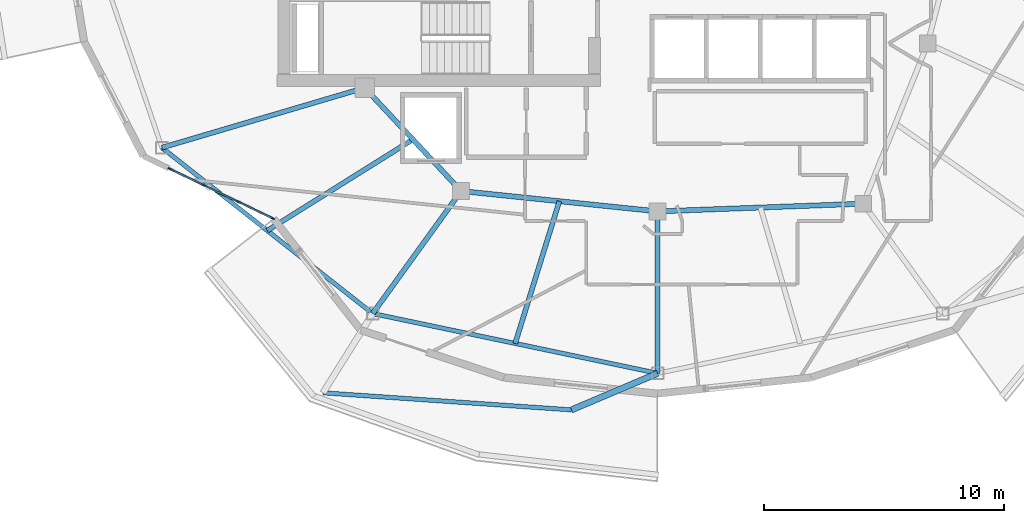
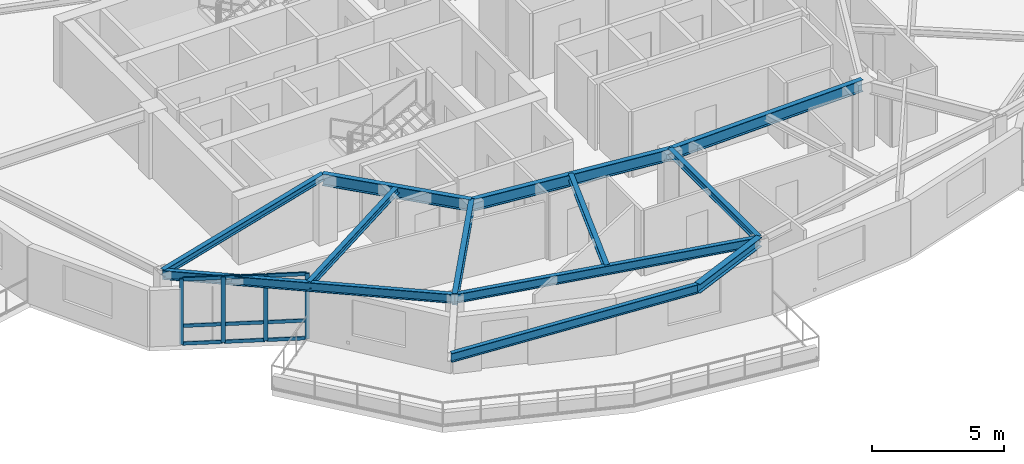
# One storey, part 2 of 14: 13 members, 12 beams, 1 element without a shape of its own.
"""IFC4 building model written with IfcOpenShell, lengths in metres."""

from ifc_helpers import new_model, si_unit, direction, frame, origin, origin_2d, place, context, subcontext, project, spatial, rectangle, i_section, extrude, material, layer, layer_set, material_profile, profile_set, type_object, element, aggregate, save


model = new_model("IFC4")

# Units and contexts
model_context = context("Model", 3, precision=1e-05, world=origin(), true_north=direction((0.0, 1.0)))
body_context = subcontext(model_context, "Body", "Model", "MODEL_VIEW")
ifc_project = project(units=[si_unit("LENGTHUNIT", "METRE"), si_unit("AREAUNIT", "SQUARE_METRE"), si_unit("VOLUMEUNIT", "CUBIC_METRE"), si_unit("PLANEANGLEUNIT", "RADIAN"), si_unit("MASSUNIT", "GRAM", prefix="KILO")], contexts=[model_context])

# Site, building, storey
site_placement = place(None, origin())
site = spatial("IfcSite", under=ifc_project, at=site_placement, CompositionType="ELEMENT")
building_placement = place(site_placement, origin())
building = spatial("IfcBuilding", under=site, at=building_placement, Name="Kolvaren Gate Tower and Convention Centre", CompositionType="ELEMENT")
storey_placement = place(building_placement, frame((0.0, 0.0, 206.300048828125)))
storey = spatial("IfcBuildingStorey", under=building, at=storey_placement, Name="L54", CompositionType="ELEMENT", Elevation=206.300048828125)

# Curtain wall, members
ifc_material_1 = material(Name="Anodized Architectural Aluminium Alloy 6063-T6", Category="aluminium")
ifc_layer = layer(ifc_material_1, 0.159912109375)
ifc_layer_set = layer_set([ifc_layer], Name="Anodized Architectural Aluminium Alloy 6063-T6")
curtain_wall_type = type_object("IfcCurtainWallType", Name="CW-RES-UNIT", PredefinedType="NOTDEFINED", material=ifc_layer_set)
curtain_wall_placement = place(storey_placement, origin())
curtain_wall = element("IfcCurtainWall", 1, at=curtain_wall_placement, inside=storey, type_object=curtain_wall_type, Name="Tower L54 Unitised Curtain Wall CW-RES-UNIT Bay 14", PredefinedType="NOTDEFINED")
ifc_material_profile_1 = material_profile(ifc_material_1, rectangle(XDim=0.06494140625, YDim=0.159912109375, at=origin_2d()), Name="CW-MEM-MUL-160")
ifc_profile_set_1 = profile_set([ifc_material_profile_1], Name="Anodized Architectural Aluminium Alloy 6063-T6")
member_type_1 = type_object("IfcMemberType", Name="CW-MEM-MUL-160", PredefinedType="MULLION", material=ifc_profile_set_1)
member_1_placement = place(storey_placement, frame((9.78466796875, 16.574462890625, 0.0), z_axis=(0.0, 0.0, 1.0), x_axis=(0.433065576861, 0.901362416644, 0.0)))
member_1 = element("IfcMember", 2, at=member_1_placement, type_object=member_type_1, Name="CW-04 mullion 1", PredefinedType="MULLION", context=body_context, shape_type="SweptSolid", body=[
    extrude(rectangle(XDim=0.06494140625, YDim=0.159912109375, at=origin_2d()), origin(), (0.0, 0.0, 1.0), 3.030029296875),
])
member_2_placement = place(storey_placement, frame((11.20947265625, 15.889892578125, 0.0), z_axis=(0.0, 0.0, 1.0), x_axis=(0.433065576861, 0.901362416644, 0.0)))
member_2 = element("IfcMember", 3, at=member_2_placement, type_object=member_type_1, Name="CW-04 mullion 2", PredefinedType="MULLION", context=body_context, shape_type="SweptSolid", body=[
    extrude(rectangle(XDim=0.06494140625, YDim=0.159912109375, at=origin_2d()), origin(), (0.0, 0.0, 1.0), 3.030029296875),
])
member_3_placement = place(storey_placement, frame((12.66357421875, 15.19140625, 0.0), z_axis=(0.0, 0.0, 1.0), x_axis=(0.433065576861, 0.901362416644, 0.0)))
member_3 = element("IfcMember", 4, at=member_3_placement, type_object=member_type_1, Name="CW-04 mullion 3", PredefinedType="MULLION", context=body_context, shape_type="SweptSolid", body=[
    extrude(rectangle(XDim=0.06494140625, YDim=0.159912109375, at=origin_2d()), origin(), (0.0, 0.0, 1.0), 3.030029296875),
])
member_4_placement = place(storey_placement, frame((14.088134765625, 14.5068359375, 0.0), z_axis=(0.0, 0.0, 1.0), x_axis=(0.433065576861, 0.901362416644, 0.0)))
member_4 = element("IfcMember", 5, at=member_4_placement, type_object=member_type_1, Name="CW-04 mullion 4", PredefinedType="MULLION", context=body_context, shape_type="SweptSolid", body=[
    extrude(rectangle(XDim=0.06494140625, YDim=0.159912109375, at=origin_2d()), origin(), (0.0, 0.0, 1.0), 3.030029296875),
])
ifc_material_profile_2 = material_profile(ifc_material_1, rectangle(XDim=0.06494140625, YDim=0.159912109375, at=origin_2d()), Name="CW-MEM-TRN-160")
ifc_profile_set_2 = profile_set([ifc_material_profile_2], Name="Anodized Architectural Aluminium Alloy 6063-T6")
member_type_2 = type_object("IfcMemberType", Name="CW-MEM-TRN-160", PredefinedType="USERDEFINED", material=ifc_profile_set_2)
member_5_placement = place(storey_placement, frame((9.81396484375, 16.560302734375, 0.032470703125), z_axis=(0.901402369702, -0.432982410607, 0.0), x_axis=(0.432982410607, 0.901402369702, 0.0)))
member_5 = element("IfcMember", 6, at=member_5_placement, type_object=member_type_2, Name="CW-04 transom 1.1", ObjectType="TRANSOM", PredefinedType="USERDEFINED", context=body_context, shape_type="SweptSolid", body=[
    extrude(rectangle(XDim=0.06494140625, YDim=0.159912109375, at=origin_2d()), origin(), (0.0, 0.0, 1.0), 1.515625),
])
member_6_placement = place(storey_placement, frame((9.81396484375, 16.560302734375, 0.849853515625), z_axis=(0.901402369702, -0.432982410607, 0.0), x_axis=(0.432982410607, 0.901402369702, 0.0)))
member_6 = element("IfcMember", 7, at=member_6_placement, type_object=member_type_2, Name="CW-04 transom 1.2", ObjectType="TRANSOM", PredefinedType="USERDEFINED", context=body_context, shape_type="SweptSolid", body=[
    extrude(rectangle(XDim=0.06494140625, YDim=0.159912109375, at=origin_2d()), origin(), (0.0, 0.0, 1.0), 1.515625),
])
member_7_placement = place(storey_placement, frame((9.81396484375, 16.560302734375, 2.99755859375), z_axis=(0.901402369702, -0.432982410607, 0.0), x_axis=(0.432982410607, 0.901402369702, 0.0)))
member_7 = element("IfcMember", 8, at=member_7_placement, type_object=member_type_2, Name="CW-04 transom 1.3", ObjectType="TRANSOM", PredefinedType="USERDEFINED", context=body_context, shape_type="SweptSolid", body=[
    extrude(rectangle(XDim=0.06494140625, YDim=0.159912109375, at=origin_2d()), origin(), (0.0, 0.0, 1.0), 1.515625),
])
member_8_placement = place(storey_placement, frame((11.23876953125, 15.875732421875, 0.032470703125), z_axis=(0.901380283866, -0.433028386896, 0.0), x_axis=(0.433028386896, 0.901380283866, 0.0)))
member_8 = element("IfcMember", 9, at=member_8_placement, type_object=member_type_2, Name="CW-04 transom 2.1", ObjectType="TRANSOM", PredefinedType="USERDEFINED", context=body_context, shape_type="SweptSolid", body=[
    extrude(rectangle(XDim=0.06494140625, YDim=0.159912109375, at=origin_2d()), origin(), (0.0, 0.0, 1.0), 1.548095703125),
])
member_9_placement = place(storey_placement, frame((11.23876953125, 15.875732421875, 0.849853515625), z_axis=(0.901380283866, -0.433028386896, 0.0), x_axis=(0.433028386896, 0.901380283866, 0.0)))
member_9 = element("IfcMember", 10, at=member_9_placement, type_object=member_type_2, Name="CW-04 transom 2.2", ObjectType="TRANSOM", PredefinedType="USERDEFINED", context=body_context, shape_type="SweptSolid", body=[
    extrude(rectangle(XDim=0.06494140625, YDim=0.159912109375, at=origin_2d()), origin(), (0.0, 0.0, 1.0), 1.548095703125),
])
member_10_placement = place(storey_placement, frame((11.23876953125, 15.875732421875, 2.99755859375), z_axis=(0.901380283866, -0.433028386896, 0.0), x_axis=(0.433028386896, 0.901380283866, 0.0)))
member_10 = element("IfcMember", 11, at=member_10_placement, type_object=member_type_2, Name="CW-04 transom 2.3", ObjectType="TRANSOM", PredefinedType="USERDEFINED", context=body_context, shape_type="SweptSolid", body=[
    extrude(rectangle(XDim=0.06494140625, YDim=0.159912109375, at=origin_2d()), origin(), (0.0, 0.0, 1.0), 1.548095703125),
])
member_11_placement = place(storey_placement, frame((12.69287109375, 15.17724609375, 0.032470703125), z_axis=(0.901309275583, -0.433176164797, 0.0), x_axis=(0.433176164797, 0.901309275583, 0.0)))
member_11 = element("IfcMember", 12, at=member_11_placement, type_object=member_type_2, Name="CW-04 transom 3.1", ObjectType="TRANSOM", PredefinedType="USERDEFINED", context=body_context, shape_type="SweptSolid", body=[
    extrude(rectangle(XDim=0.06494140625, YDim=0.159912109375, at=origin_2d()), origin(), (0.0, 0.0, 1.0), 1.515625),
])
member_12_placement = place(storey_placement, frame((12.69287109375, 15.17724609375, 0.849853515625), z_axis=(0.901309275583, -0.433176164797, 0.0), x_axis=(0.433176164797, 0.901309275583, 0.0)))
member_12 = element("IfcMember", 13, at=member_12_placement, type_object=member_type_2, Name="CW-04 transom 3.2", ObjectType="TRANSOM", PredefinedType="USERDEFINED", context=body_context, shape_type="SweptSolid", body=[
    extrude(rectangle(XDim=0.06494140625, YDim=0.159912109375, at=origin_2d()), origin(), (0.0, 0.0, 1.0), 1.515625),
])
member_13_placement = place(storey_placement, frame((12.69287109375, 15.17724609375, 2.99755859375), z_axis=(0.901309275583, -0.433176164797, 0.0), x_axis=(0.433176164797, 0.901309275583, 0.0)))
member_13 = element("IfcMember", 14, at=member_13_placement, type_object=member_type_2, Name="CW-04 transom 3.3", ObjectType="TRANSOM", PredefinedType="USERDEFINED", context=body_context, shape_type="SweptSolid", body=[
    extrude(rectangle(XDim=0.06494140625, YDim=0.159912109375, at=origin_2d()), origin(), (0.0, 0.0, 1.0), 1.515625),
])
aggregate(curtain_wall, [member_1, member_2, member_3, member_4, member_5, member_6, member_7, member_8, member_9, member_10, member_11, member_12, member_13])

# Beams
ifc_material_2 = material(Name="Structural steel ASTM A992 Grade 345 MPa", Category="steel")
ifc_material_profile_3 = material_profile(ifc_material_2, i_section(OverallWidth=0.260009765625, OverallDepth=0.419921875, WebThickness=0.013427734375, FlangeThickness=0.0224609375, at=origin_2d()), Name="W410X132")
ifc_profile_set_3 = profile_set([ifc_material_profile_3], Name="Structural steel ASTM A992 Grade 345 MPa")
beam_type_1 = type_object("IfcBeamType", Name="STR-BM-W410X132", PredefinedType="BEAM", material=ifc_profile_set_3)
beam_1_placement = place(storey_placement, frame((30.125, 8.050048828125, 2.820556640625), z_axis=(-0.920415965842, -0.390940468386, 0.0), x_axis=(0.390940468386, -0.920415965842, 0.0)))
element("IfcBeam", 15, at=beam_1_placement, inside=storey, type_object=beam_type_1, Name="Tower L55 Planted Balcony Outrigger Cantilever BC-3B", PredefinedType="BEAM", context=body_context, shape_type="SweptSolid", body=[
    extrude(i_section(OverallWidth=0.260009765625, OverallDepth=0.419921875, WebThickness=0.013427734375, FlangeThickness=0.0224609375, at=origin_2d()), origin(), (0.0, 0.0, 1.0), 3.89990234375),
])
ifc_material_profile_4 = material_profile(ifc_material_2, i_section(OverallWidth=0.2119140625, OverallDepth=0.5439453125, WebThickness=0.01318359375, FlangeThickness=0.021240234375, at=origin_2d()), Name="W530X123")
ifc_profile_set_4 = profile_set([ifc_material_profile_4], Name="Structural steel ASTM A992 Grade 345 MPa")
beam_type_2 = type_object("IfcBeamType", Name="STR-BM-W530X123", PredefinedType="BEAM", material=ifc_profile_set_4)
beam_2_placement = place(storey_placement, frame((17.9140625, 19.949951171875, 2.758056640625), z_axis=(0.682557592987, -0.730831808459, 0.0), x_axis=(0.730831808459, 0.682557592987, 0.0)))
element("IfcBeam", 16, at=beam_2_placement, inside=storey, type_object=beam_type_2, Name="Tower L54 Primary Ring Girder G-06", PredefinedType="BEAM", context=body_context, shape_type="SweptSolid", body=[
    extrude(i_section(OverallWidth=0.2119140625, OverallDepth=0.5439453125, WebThickness=0.01318359375, FlangeThickness=0.021240234375, at=origin_2d()), origin(), (0.0, 0.0, 1.0), 5.88671875),
])
beam_3_placement = place(storey_placement, frame((21.93212890625, 15.647705078125, 2.758056640625), z_axis=(0.994690329115, -0.102913308978, 0.0), x_axis=(0.102913308978, 0.994690329115, 0.0)))
element("IfcBeam", 17, at=beam_3_placement, inside=storey, type_object=beam_type_2, Name="Tower L54 Primary Ring Girder G-07", PredefinedType="BEAM", context=body_context, shape_type="SweptSolid", body=[
    extrude(i_section(OverallWidth=0.2119140625, OverallDepth=0.5439453125, WebThickness=0.01318359375, FlangeThickness=0.021240234375, at=origin_2d()), origin(), (0.0, 0.0, 1.0), 8.236572265625),
])
beam_4_placement = place(storey_placement, frame((30.125, 14.800048828125, 2.758056640625), z_axis=(0.999301712453, 0.037364254142, 0.0), x_axis=(-0.037364254142, 0.999301712453, 0.0)))
element("IfcBeam", 18, at=beam_4_placement, inside=storey, type_object=beam_type_2, Name="Tower L54 Primary Ring Girder G-08", PredefinedType="BEAM", context=body_context, shape_type="SweptSolid", body=[
    extrude(i_section(OverallWidth=0.2119140625, OverallDepth=0.5439453125, WebThickness=0.01318359375, FlangeThickness=0.021240234375, at=origin_2d()), origin(), (0.0, 0.0, 1.0), 8.579345703125),
])
beam_5_placement = place(storey_placement, frame((21.93212890625, 15.647705078125, 2.758056640625), z_axis=(-0.585214462319, -0.810878556316, 0.0), x_axis=(0.810878556316, -0.585214462319, 0.0)))
element("IfcBeam", 19, at=beam_5_placement, inside=storey, type_object=beam_type_2, Name="Tower L54 Radial Floor Girder RB-09", PredefinedType="BEAM", context=body_context, shape_type="SweptSolid", body=[
    extrude(i_section(OverallWidth=0.2119140625, OverallDepth=0.5439453125, WebThickness=0.01318359375, FlangeThickness=0.021240234375, at=origin_2d()), origin(), (0.0, 0.0, 1.0), 6.296630859375),
])
ifc_material_profile_5 = material_profile(ifc_material_2, i_section(OverallWidth=0.205078125, OverallDepth=0.31005859375, WebThickness=0.009521484375, FlangeThickness=0.016357421875, at=origin_2d()), Name="W310X74")
ifc_profile_set_5 = profile_set([ifc_material_profile_5], Name="Structural steel ASTM A992 Grade 345 MPa")
beam_type_3 = type_object("IfcBeamType", Name="STR-JS-W310X74", PredefinedType="JOIST", material=ifc_profile_set_5)
beam_6_placement = place(storey_placement, frame((17.9140625, 19.949951171875, 2.875), z_axis=(-0.959121165581, -0.28299574155, 0.0), x_axis=(0.28299574155, -0.959121165581, 0.0)))
element("IfcBeam", 20, at=beam_6_placement, inside=storey, type_object=beam_type_3, Name="Tower L54 Radial Floor Girder RB-08", PredefinedType="JOIST", context=body_context, shape_type="SweptSolid", body=[
    extrude(i_section(OverallWidth=0.205078125, OverallDepth=0.31005859375, WebThickness=0.009521484375, FlangeThickness=0.016357421875, at=origin_2d()), origin(), (0.0, 0.0, 1.0), 8.8115234375),
])
beam_7_placement = place(storey_placement, frame((30.125, 14.800048828125, 2.875), z_axis=(0.0, -1.0, 0.0), x_axis=(1.0, 0.0, 0.0)))
element("IfcBeam", 21, at=beam_7_placement, inside=storey, type_object=beam_type_3, Name="Tower L54 Radial Floor Girder RB-10", PredefinedType="JOIST", context=body_context, shape_type="SweptSolid", body=[
    extrude(i_section(OverallWidth=0.205078125, OverallDepth=0.31005859375, WebThickness=0.009521484375, FlangeThickness=0.016357421875, at=origin_2d()), origin(), (0.0, 0.0, 1.0), 6.75),
])
beam_8_placement = place(storey_placement, frame((19.923095703125, 17.798828125, 2.875), z_axis=(-0.847559309278, -0.530700685186, 0.0), x_axis=(0.530700685186, -0.847559309278, 0.0)))
element("IfcBeam", 22, at=beam_8_placement, inside=storey, type_object=beam_type_3, Name="Tower L54 Secondary Composite Floor Joist J-08.1", PredefinedType="JOIST", context=body_context, shape_type="SweptSolid", body=[
    extrude(i_section(OverallWidth=0.205078125, OverallDepth=0.31005859375, WebThickness=0.009521484375, FlangeThickness=0.016357421875, at=origin_2d()), origin(), (0.0, 0.0, 1.0), 7.159423828125),
])
beam_9_placement = place(storey_placement, frame((26.028564453125, 15.223876953125, 2.875), z_axis=(-0.296776485487, -0.954946971126, 0.0), x_axis=(0.954946971126, -0.296776485487, 0.0)))
element("IfcBeam", 23, at=beam_9_placement, inside=storey, type_object=beam_type_3, Name="Tower L54 Secondary Composite Floor Joist J-09.1", PredefinedType="JOIST", context=body_context, shape_type="SweptSolid", body=[
    extrude(i_section(OverallWidth=0.205078125, OverallDepth=0.31005859375, WebThickness=0.009521484375, FlangeThickness=0.016357421875, at=origin_2d()), origin(), (0.0, 0.0, 1.0), 6.207763671875),
])
ifc_material_profile_6 = material_profile(ifc_material_2, i_section(OverallWidth=0.180908203125, OverallDepth=0.4169921875, WebThickness=0.010986328125, FlangeThickness=0.018310546875, at=origin_2d()), Name="W410X85")
ifc_profile_set_6 = profile_set([ifc_material_profile_6], Name="Structural steel ASTM A992 Grade 345 MPa")
beam_type_4 = type_object("IfcBeamType", Name="STR-SP-W410X85", PredefinedType="SPANDREL", material=ifc_profile_set_6)
beam_10_placement = place(storey_placement, frame((9.462646484375, 17.456298828125, 2.821533203125), z_axis=(0.78579365551, -0.618488747643, 0.0), x_axis=(0.618488747643, 0.78579365551, 0.0)))
element("IfcBeam", 24, at=beam_10_placement, inside=storey, type_object=beam_type_4, Name="Tower L54 Perimeter Spandrel Beam SP-08", PredefinedType="SPANDREL", context=body_context, shape_type="SweptSolid", body=[
    extrude(i_section(OverallWidth=0.180908203125, OverallDepth=0.4169921875, WebThickness=0.010986328125, FlangeThickness=0.018310546875, at=origin_2d()), origin(), (0.0, 0.0, 1.0), 11.179443359375),
])
beam_11_placement = place(storey_placement, frame((18.247314453125, 10.5419921875, 2.821533203125), z_axis=(0.978692765917, -0.205330148645, 0.0), x_axis=(0.205330148645, 0.978692765917, 0.0)))
element("IfcBeam", 25, at=beam_11_placement, inside=storey, type_object=beam_type_4, Name="Tower L54 Perimeter Spandrel Beam SP-09", PredefinedType="SPANDREL", context=body_context, shape_type="SweptSolid", body=[
    extrude(i_section(OverallWidth=0.180908203125, OverallDepth=0.4169921875, WebThickness=0.010986328125, FlangeThickness=0.018310546875, at=origin_2d()), origin(), (0.0, 0.0, 1.0), 12.13623046875),
])
beam_12_placement = place(storey_placement, frame((16.175537109375, 7.23779296875, 2.822021484375), z_axis=(0.997643997623, -0.068603600534, 0.0), x_axis=(0.068603600534, 0.997643997623, 0.0)))
element("IfcBeam", 26, at=beam_12_placement, inside=storey, type_object=beam_type_4, Name="Tower L55 Planted Balcony Header Tie Beam BT-3", PredefinedType="SPANDREL", context=body_context, shape_type="SweptSolid", body=[
    extrude(i_section(OverallWidth=0.180908203125, OverallDepth=0.4169921875, WebThickness=0.010986328125, FlangeThickness=0.018310546875, at=origin_2d()), origin(), (0.0, 0.0, 1.0), 10.38427734375),
])

save(model, "model.ifc")
